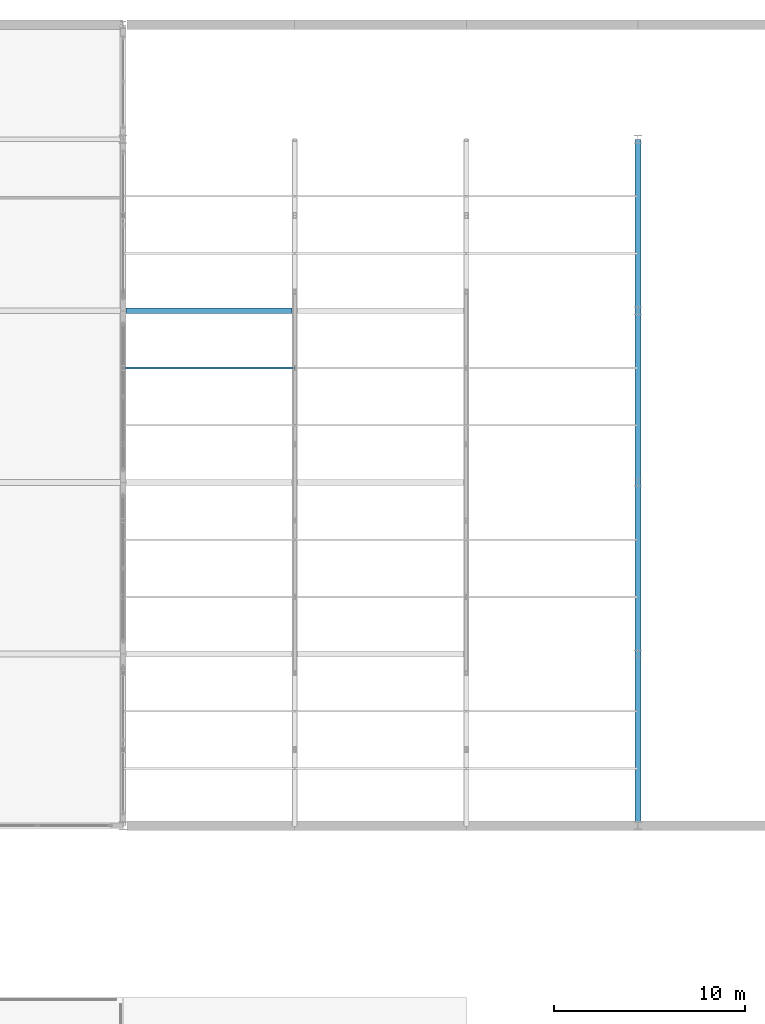
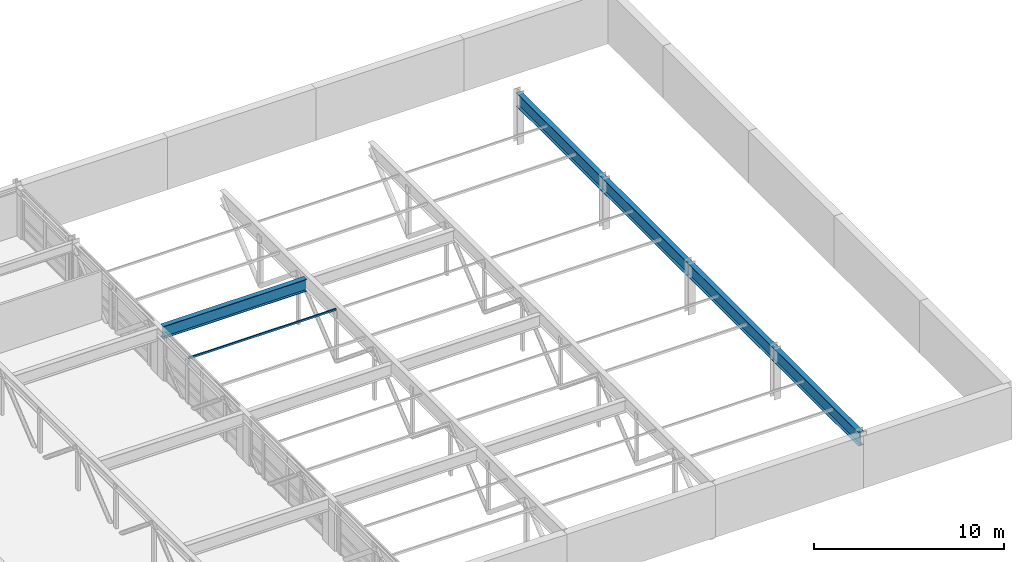
# One storey, part 60 of 91: 2 beams, 1 member.
"""IFC4 building model written with IfcOpenShell, lengths in metres."""

from ifc_helpers import new_model, si_unit, direction, frame, origin, origin_2d, place, context, subcontext, project, spatial, hollow_rectangle, i_section, extrude, material, material_profile, profile_set, type_object, element, save


model = new_model("IFC4")

# Units and contexts
model_context = context("Model", 3, precision=1e-05, world=origin(), true_north=direction((0.0, 1.0)))
body_context = subcontext(model_context, "Body", "Model", "MODEL_VIEW")
ifc_project = project(units=[si_unit("LENGTHUNIT", "METRE"), si_unit("AREAUNIT", "SQUARE_METRE"), si_unit("VOLUMEUNIT", "CUBIC_METRE"), si_unit("PLANEANGLEUNIT", "RADIAN"), si_unit("MASSUNIT", "GRAM", prefix="KILO")], contexts=[model_context])

# Site, building, storey
site_placement = place(None, origin())
site = spatial("IfcSite", under=ifc_project, at=site_placement, CompositionType="ELEMENT")
building_placement = place(site_placement, origin())
building = spatial("IfcBuilding", under=site, at=building_placement, Name="Palais des Congres Ocreval", CompositionType="ELEMENT")
storey_placement = place(building_placement, frame((0.0, 0.0, 8.159912109375)))
storey = spatial("IfcBuildingStorey", under=building, at=storey_placement, Name="L02", CompositionType="ELEMENT", Elevation=8.159912109375)

# Beams
ifc_material = material(Name="Steel S355", Category="steel")
ifc_material_profile_1 = material_profile(ifc_material, i_section(OverallWidth=0.300048828125, OverallDepth=0.7900390625, WebThickness=0.014892578125, FlangeThickness=0.028076171875, at=origin_2d()), Name="HEA 800")
ifc_profile_set_1 = profile_set([ifc_material_profile_1], Name="Steel S355")
beam_type_1 = type_object("IfcBeamType", Name="Long-Span Girder HEA 800 Steel S355", PredefinedType="BEAM", material=ifc_profile_set_1)
beam_1_placement = place(storey_placement, frame((126.14794921875, 99.0, 2.710205078125), z_axis=(1.0, 0.0, 0.0), x_axis=(0.0, 1.0, 0.0)))
element("IfcBeam", 1, at=beam_1_placement, inside=storey, type_object=beam_type_1, Name="Ballroom Truss Tie Girder B15", PredefinedType="BEAM", context=body_context, shape_type="SweptSolid", body=[
    extrude(i_section(OverallWidth=0.300048828125, OverallDepth=0.7900390625, WebThickness=0.014892578125, FlangeThickness=0.028076171875, at=origin_2d()), origin(), (0.0, 0.0, 1.0), 8.7041015625),
])
ifc_material_profile_2 = material_profile(ifc_material, i_section(OverallWidth=0.300048828125, OverallDepth=0.889892578125, WebThickness=0.01611328125, FlangeThickness=0.030029296875, at=origin_2d()), Name="HEA 900")
ifc_profile_set_2 = profile_set([ifc_material_profile_2], Name="Steel S355")
beam_type_2 = type_object("IfcBeamType", Name="Long-Span Girder HEA 900 Steel S355", PredefinedType="BEAM", material=ifc_profile_set_2)
beam_2_placement = place(storey_placement, frame((153.0, 72.02001953125, 2.7900390625), z_axis=(0.0, 1.0, 0.0), x_axis=(-1.0, 0.0, 0.0)))
element("IfcBeam", 2, at=beam_2_placement, inside=storey, type_object=beam_type_2, Name="Ballroom East Collector Girder B16", PredefinedType="BEAM", context=body_context, shape_type="SweptSolid", body=[
    extrude(i_section(OverallWidth=0.300048828125, OverallDepth=0.889892578125, WebThickness=0.01611328125, FlangeThickness=0.030029296875, at=origin_2d()), origin(), (0.0, 0.0, 1.0), 35.9599609375),
])

# Member
ifc_material_profile_3 = material_profile(ifc_material, hollow_rectangle(XDim=0.080078125, YDim=0.1201171875, WallThickness=0.00634765625, at=origin_2d()), Name="RHS 120x80x6.3")
ifc_profile_set_3 = profile_set([ifc_material_profile_3], Name="Steel S355")
member_type = type_object("IfcMemberType", Name="Roof Purlin RHS 120x80x6.3 Steel S355", PredefinedType="PURLIN", material=ifc_profile_set_3)
member_placement = place(storey_placement, frame((126.02001953125, 96.0, 2.860107421875), z_axis=(1.0, 0.0, 0.0), x_axis=(0.0, 1.0, 0.0)))
element("IfcMember", 3, at=member_placement, inside=storey, type_object=member_type, Name="Sawtooth Roof Purlin PU05", PredefinedType="PURLIN", context=body_context, shape_type="SweptSolid", body=[
    extrude(hollow_rectangle(XDim=0.080078125, YDim=0.1201171875, WallThickness=0.00634765625, at=origin_2d()), origin(), (0.0, 0.0, 1.0), 8.9599609375),
])

save(model, "model.ifc")
